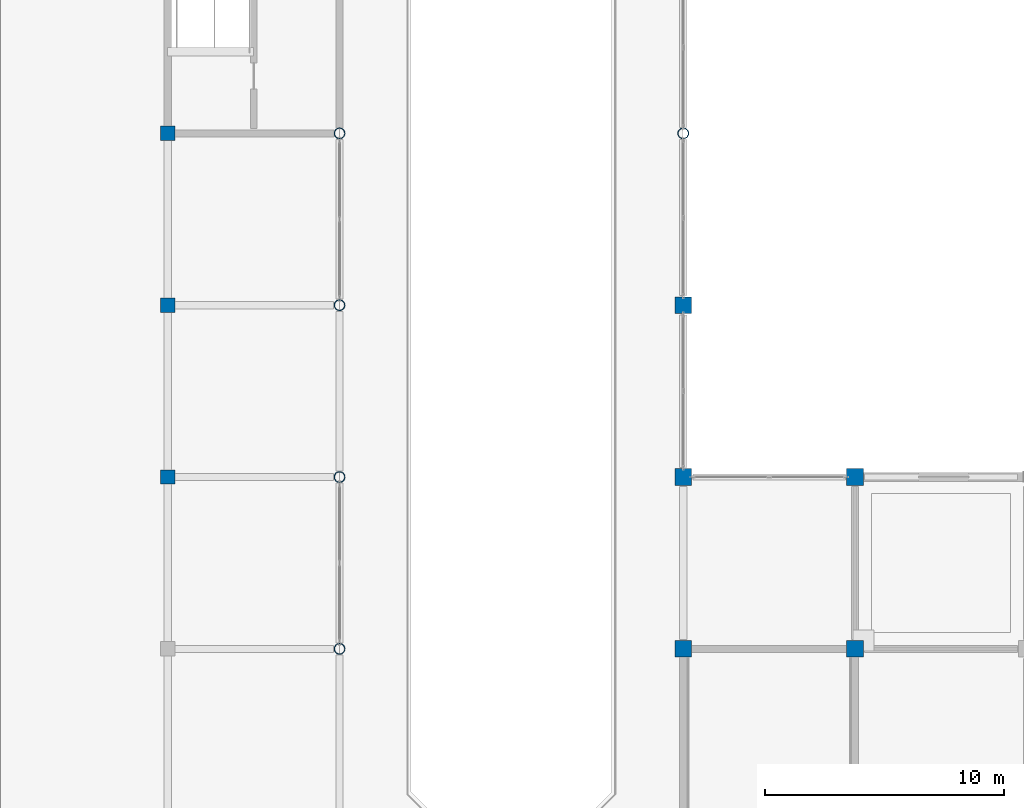
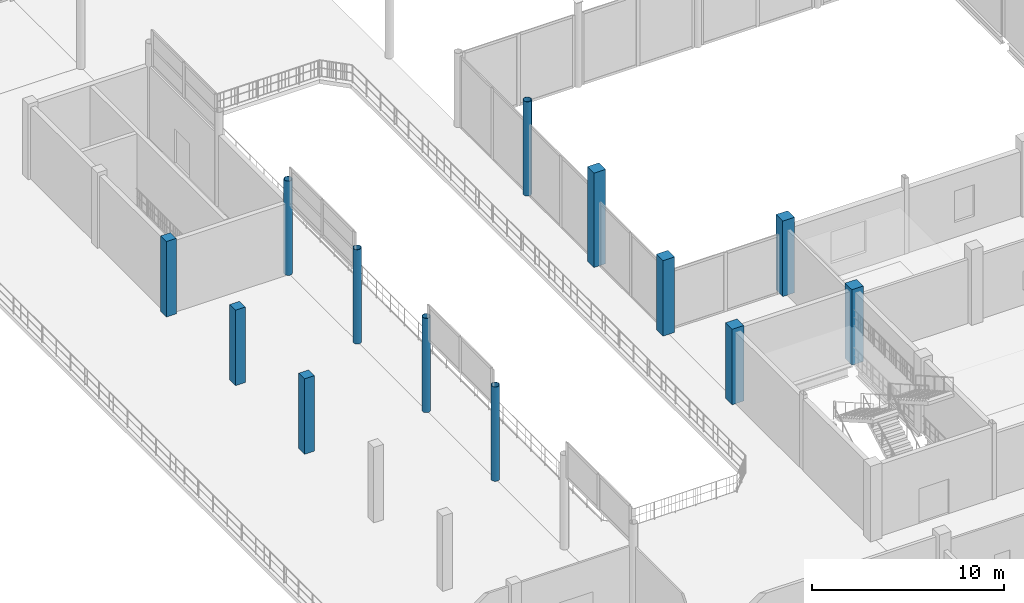
# One storey, part 5 of 120: 13 columns.
"""IFC4 building model written with IfcOpenShell, lengths in metres."""

import ifcopenshell
import ifcopenshell.guid

model = None  # the IFC model being written
_history = None  # IfcOwnerHistory: only IFC2X3 demands one
_inside = {}  # id of a spatial element -> (the spatial element, [elements in it])
_under = {}  # id of a project, library or spatial element -> (it, [spatial elements below it])
_declared = {}  # id of a project -> (the project, [libraries it declares])
_typed = {}  # id of a type object -> (the type object, [elements of that type])
_made_of = {}  # id of a material, layer set ... -> (it, [elements and type objects made of it])


def new_model(schema):
    """Start an empty IFC model of exactly this schema.

    Asked for "IFC4X3", IfcOpenShell would pick the latest addendum, in which some entities
    have other attributes; the version numbers below select the first issue.
    IFC2X3 requires an IfcOwnerHistory on every rooted entity: one is made here for all.
    """
    global model, _history
    if schema == "IFC4X3":
        model = ifcopenshell.file(schema_version=(4, 3, 0, 0))
    else:
        model = ifcopenshell.file(schema=schema)
    _inside.clear()
    _under.clear()
    _declared.clear()
    _typed.clear()
    _made_of.clear()
    _history = None
    if model.schema == "IFC2X3":
        org = make("IfcOrganization", Name="unknown")
        user = make(
            "IfcPersonAndOrganization",
            ThePerson=make("IfcPerson", FamilyName="unknown"),
            TheOrganization=org,
        )
        app = make(
            "IfcApplication",
            ApplicationDeveloper=org,
            Version="unknown",
            ApplicationFullName="unknown",
            ApplicationIdentifier="unknown",
        )
        _history = make(
            "IfcOwnerHistory",
            OwningUser=user,
            OwningApplication=app,
            ChangeAction="ADDED",
            CreationDate=0,
        )
    return model


def make(cls, **values):
    """One entity of the class cls with the attributes given. An attribute that is None is left unset."""
    return model.create_entity(
        cls, **{name: value for name, value in values.items() if value is not None}
    )


def rooted(cls, **values):
    """An entity with a GlobalId (a new one), such as an element, a storey or a relation."""
    return make(cls, GlobalId=ifcopenshell.guid.new(), OwnerHistory=_history, **values)


def si_unit(unit_type, name, prefix=None):
    """IfcSIUnit, for example si_unit("LENGTHUNIT", "METRE", prefix="MILLI")."""
    return make("IfcSIUnit", UnitType=unit_type, Prefix=prefix, Name=name)


def assignment(units):
    """IfcUnitAssignment: the units of a project."""
    return None if units is None else make("IfcUnitAssignment", Units=units)


def point(xyz):
    """IfcCartesianPoint."""
    return None if xyz is None else make("IfcCartesianPoint", Coordinates=xyz)


def direction(xyz):
    """IfcDirection."""
    return None if xyz is None else make("IfcDirection", DirectionRatios=xyz)


def frame(location, z_axis=None, x_axis=None):
    """IfcAxis2Placement3D, a coordinate frame: its origin and axes. An axis left out is left unset."""
    return make(
        "IfcAxis2Placement3D",
        Location=point(location),
        Axis=direction(z_axis),
        RefDirection=direction(x_axis),
    )


def frame_2d(location, x_axis=None):
    """IfcAxis2Placement2D, a coordinate frame in the plane: its origin and x axis."""
    return make(
        "IfcAxis2Placement2D", Location=point(location), RefDirection=direction(x_axis)
    )


def origin():
    """The frame at (0, 0, 0) with its axes left unset."""
    return frame((0.0, 0.0, 0.0))


def origin_2d():
    """The frame at (0, 0) in the plane with its x axis left unset."""
    return frame_2d((0.0, 0.0))


def place(relative_to, where):
    """IfcLocalPlacement: puts the frame where relative to a parent placement (None: the world)."""
    return make(
        "IfcLocalPlacement", PlacementRelTo=relative_to, RelativePlacement=where
    )


def context(
    kind, dimensions, precision=None, world=None, true_north=None, identifier=None
):
    """IfcGeometricRepresentationContext, for example the 3D "Model" context."""
    return make(
        "IfcGeometricRepresentationContext",
        ContextIdentifier=identifier,
        ContextType=kind,
        CoordinateSpaceDimension=dimensions,
        Precision=precision,
        WorldCoordinateSystem=world,
        TrueNorth=true_north,
    )


def subcontext(parent, identifier, kind, view, scale=None):
    """IfcGeometricRepresentationSubContext, for example "Body" below "Model"."""
    return make(
        "IfcGeometricRepresentationSubContext",
        ContextIdentifier=identifier,
        ContextType=kind,
        ParentContext=parent,
        TargetScale=scale,
        TargetView=view,
    )


def project(units=None, contexts=None):
    """IfcProject with its units and contexts."""
    return rooted(
        "IfcProject",
        Name="project",
        RepresentationContexts=contexts,
        UnitsInContext=assignment(units),
    )


def spatial(cls, under=None, at=None, **own):
    """A site, building, storey or space (cls), placed at a placement, below another one or the project."""
    s = rooted(cls, ObjectPlacement=at, **own)
    if under is not None:
        _under.setdefault(under.id(), (under, []))[1].append(s)
    return s


def profile(cls, at=None, kind="AREA", **sizes):
    """A parametric profile (cls). Its sizes go by their IFC names, for example OverallWidth=200.0."""
    return make(cls, ProfileType=kind, Position=at, **sizes)


def rectangle(**sizes):
    """IfcRectangleProfileDef."""
    return profile("IfcRectangleProfileDef", **sizes)


def hollow_circle(**sizes):
    """IfcCircleHollowProfileDef."""
    return profile("IfcCircleHollowProfileDef", **sizes)


def extrude(swept, where, along, depth):
    """IfcExtrudedAreaSolid: the profile swept, set in the frame where, extruded along a direction by depth."""
    return make(
        "IfcExtrudedAreaSolid",
        SweptArea=swept,
        Position=where,
        ExtrudedDirection=direction(along),
        Depth=depth,
    )


def shape(context_of_items, identifier, shape_type, items):
    """IfcShapeRepresentation: the items that make up one representation, for example the "Body"."""
    return make(
        "IfcShapeRepresentation",
        ContextOfItems=context_of_items,
        RepresentationIdentifier=identifier,
        RepresentationType=shape_type,
        Items=items,
    )


def material(Name=None, Category=None):
    """IfcMaterial."""
    return make("IfcMaterial", Name=Name, Category=Category)


def material_profile(
    of_material, cross_section, Name=None, Category=None, Priority=None
):
    """IfcMaterialProfile: a cross section and its material."""
    return make(
        "IfcMaterialProfile",
        Name=Name,
        Material=of_material,
        Profile=cross_section,
        Priority=Priority,
        Category=Category,
    )


def profile_set(profiles, Name=None, composite=None):
    """IfcMaterialProfileSet."""
    return make(
        "IfcMaterialProfileSet",
        Name=Name,
        MaterialProfiles=profiles,
        CompositeProfile=composite,
    )


def made_of(thing, what):
    """Note that an element or type object is made of a material, layer set ...; save() writes the relation."""
    if what is not None:
        _made_of.setdefault(what.id(), (what, []))[1].append(thing)
    return thing


def type_object(cls, material=None, **own):
    """A type object (cls), such as IfcWallType, which elements share."""
    return made_of(rooted(cls, **own), material)


def element(
    cls,
    number,
    at=None,
    inside=None,
    cuts=None,
    type_object=None,
    material=None,
    context=None,
    identifier="Body",
    shape_type=None,
    held_by="IfcProductDefinitionShape",
    body=None,
    shapes=None,
    **own,
):
    """One element of the class cls, such as IfcWall. Its Tag is "e" and its number.

    at: its placement. inside: the storey or other place that contains it. cuts: it is an
    opening in that element (IfcRelVoidsElement). A single representation is given by context,
    identifier, shape_type and body (its items); several are given by shapes. held_by: the class
    of the entity that holds the representations. save() writes the other relations.
    """
    e = rooted(cls, Tag="e%d" % number, ObjectPlacement=at, **own)
    if body is not None:
        shapes = [shape(context, identifier, shape_type, body)]
    if shapes is not None:
        e.Representation = make(held_by, Representations=shapes)
    if inside is not None:
        _inside.setdefault(inside.id(), (inside, []))[1].append(e)
    if cuts is not None:
        rooted(
            "IfcRelVoidsElement", RelatingBuildingElement=cuts, RelatedOpeningElement=e
        )
    if type_object is not None:
        _typed.setdefault(type_object.id(), (type_object, []))[1].append(e)
    return made_of(e, material)


def aggregate(whole, parts):
    """IfcRelAggregates: a whole, such as a stair, and the parts it consists of."""
    return rooted("IfcRelAggregates", RelatingObject=whole, RelatedObjects=parts)


def save(model, path):
    """Write the relations noted so far, then the file.

    IfcRelAggregates (storeys below a building ...), IfcRelContainedInSpatialStructure (elements
    in a storey), IfcRelDefinesByType, IfcRelAssociatesMaterial and IfcRelDeclares: one each for
    every whole, place, type object, material and project.
    """
    for whole, parts in _under.values():
        aggregate(whole, parts)
    for where, things in _inside.values():
        rooted(
            "IfcRelContainedInSpatialStructure",
            RelatedElements=things,
            RelatingStructure=where,
        )
    for kind, things in _typed.values():
        rooted("IfcRelDefinesByType", RelatedObjects=things, RelatingType=kind)
    for what, things in _made_of.values():
        rooted("IfcRelAssociatesMaterial", RelatedObjects=things, RelatingMaterial=what)
    for by, libraries in _declared.values():
        rooted("IfcRelDeclares", RelatingContext=by, RelatedDefinitions=libraries)
    model.write(path)


model = new_model("IFC4")

# Units and contexts
model_context = context("Model", 3, precision=1e-05, world=origin(), true_north=direction((0.0, 1.0)))
body_context = subcontext(model_context, "Body", "Model", "MODEL_VIEW")
ifc_project = project(units=[si_unit("LENGTHUNIT", "METRE"), si_unit("AREAUNIT", "SQUARE_METRE"), si_unit("VOLUMEUNIT", "CUBIC_METRE"), si_unit("PLANEANGLEUNIT", "RADIAN"), si_unit("MASSUNIT", "GRAM", prefix="KILO")], contexts=[model_context])

# Site, building, storey
site_placement = place(None, origin())
site = spatial("IfcSite", under=ifc_project, at=site_placement, CompositionType="ELEMENT")
building_placement = place(site_placement, origin())
building = spatial("IfcBuilding", under=site, at=building_placement, Name="Vesperath Aquatics Centre", CompositionType="ELEMENT")
storey_placement = place(building_placement, frame((0.0, 0.0, 10.199951171875)))
storey = spatial("IfcBuildingStorey", under=building, at=storey_placement, Name="L02", CompositionType="ELEMENT", Elevation=10.199951171875)

# Columns
ifc_material_1 = material(Name="Concrete C40", Category="concrete")
ifc_material_profile_1 = material_profile(ifc_material_1, rectangle(XDim=0.699951171875, YDim=0.699951171875, at=origin_2d()), Name="RC 700x700")
ifc_profile_set_1 = profile_set([ifc_material_profile_1], Name="Concrete C40")
column_type_1 = type_object("IfcColumnType", Name="CL-C05", PredefinedType="COLUMN", material=ifc_profile_set_1)
for number, where, z_axis, x_axis, name in (
    (1, (115.199951171875, 36.0, 0.0), (0.0, 0.0, 1.0), (1.0, 0.0, 0.0), "Column C05 L02 17/F"),
    (2, (115.199951171875, 43.199951171875, 0.0), (0.0, 0.0, 1.0), (1.0, 0.0, 0.0), "Column C05 L02 17/G"),
):
    element("IfcColumn", number, at=place(storey_placement, frame(where, z_axis=z_axis, x_axis=x_axis)), inside=storey, type_object=column_type_1, Name=name, PredefinedType="COLUMN", context=body_context, shape_type="SweptSolid", body=[
        extrude(rectangle(XDim=0.699951171875, YDim=0.699951171875, at=origin_2d()), origin(), (0.0, 0.0, 1.0), 4.800048828125),
    ])
column_placement = place(storey_placement, frame((115.199951171875, 50.39990234375, 0.0), z_axis=(0.0, 0.0, 1.0), x_axis=(1.0, 0.0, 0.0)))
element("IfcColumn", 3, at=column_placement, inside=storey, type_object=column_type_1, Name="Column C05 L02 17/H", PredefinedType="COLUMN", context=body_context, shape_type="SweptSolid", body=[
    extrude(rectangle(XDim=0.699951171875, YDim=0.699951171875, at=origin_2d()), origin(), (0.0, 0.0, 1.0), 6.0),
])
for number, where, z_axis, x_axis, name in (
    (4, (122.39990234375, 36.0, 0.0), (0.0, 0.0, 1.0), (1.0, 0.0, 0.0), "Column C05 L02 18/F"),
    (5, (122.39990234375, 43.199951171875, 0.0), (0.0, 0.0, 1.0), (1.0, 0.0, 0.0), "Column C05 L02 18/G"),
):
    element("IfcColumn", number, at=place(storey_placement, frame(where, z_axis=z_axis, x_axis=x_axis)), inside=storey, type_object=column_type_1, Name=name, PredefinedType="COLUMN", context=body_context, shape_type="SweptSolid", body=[
        extrude(rectangle(XDim=0.699951171875, YDim=0.699951171875, at=origin_2d()), origin(), (0.0, 0.0, 1.0), 4.800048828125),
    ])
ifc_material_profile_2 = material_profile(ifc_material_1, rectangle(XDim=0.60009765625, YDim=0.60009765625, at=origin_2d()), Name="RC 600x600")
ifc_profile_set_2 = profile_set([ifc_material_profile_2], Name="Concrete C40")
column_type_2 = type_object("IfcColumnType", Name="CL-C06", PredefinedType="COLUMN", material=ifc_profile_set_2)
for number, where, z_axis, x_axis, name in (
    (6, (93.60009765625, 43.199951171875, 0.0), (0.0, 0.0, 1.0), (1.0, 0.0, 0.0), "Column C06 L02 14/G"),
    (7, (93.60009765625, 50.39990234375, 0.0), (0.0, 0.0, 1.0), (1.0, 0.0, 0.0), "Column C06 L02 14/H"),
    (8, (93.60009765625, 57.60009765625, 0.0), (0.0, 0.0, 1.0), (1.0, 0.0, 0.0), "Column C06 L02 14/J"),
):
    element("IfcColumn", number, at=place(storey_placement, frame(where, z_axis=z_axis, x_axis=x_axis)), inside=storey, type_object=column_type_2, Name=name, PredefinedType="COLUMN", context=body_context, shape_type="SweptSolid", body=[
        extrude(rectangle(XDim=0.60009765625, YDim=0.60009765625, at=origin_2d()), origin(), (0.0, 0.0, 1.0), 4.800048828125),
    ])
ifc_material_2 = material(Name="Steel Q355D", Category="steel")
ifc_material_profile_3 = material_profile(ifc_material_2, hollow_circle(Radius=0.228515625, WallThickness=0.02001953125, at=origin_2d()), Name="CHS 457.0x20")
ifc_profile_set_3 = profile_set([ifc_material_profile_3], Name="Steel Q355D")
column_type_3 = type_object("IfcColumnType", Name="CL-C13", PredefinedType="COLUMN", material=ifc_profile_set_3)
for number, where, z_axis, x_axis, name in (
    (9, (100.800048828125, 36.0, 0.0), (0.0, 0.0, 1.0), (1.0, 0.0, 0.0), "Column C13 L02 15/F"),
    (10, (100.800048828125, 43.199951171875, 0.0), (0.0, 0.0, 1.0), (1.0, 0.0, 0.0), "Column C13 L02 15/G"),
    (11, (100.800048828125, 50.39990234375, 0.0), (0.0, 0.0, 1.0), (1.0, 0.0, 0.0), "Column C13 L02 15/H"),
    (12, (100.800048828125, 57.60009765625, 0.0), (0.0, 0.0, 1.0), (1.0, 0.0, 0.0), "Column C13 L02 15/J"),
    (13, (115.199951171875, 57.60009765625, 0.0), (0.0, 0.0, 1.0), (1.0, 0.0, 0.0), "Column C13 L02 17/J"),
):
    element("IfcColumn", number, at=place(storey_placement, frame(where, z_axis=z_axis, x_axis=x_axis)), inside=storey, type_object=column_type_3, Name=name, PredefinedType="COLUMN", context=body_context, shape_type="SweptSolid", body=[
        extrude(hollow_circle(Radius=0.228515625, WallThickness=0.02001953125, at=origin_2d()), origin(), (0.0, 0.0, 1.0), 6.0),
    ])

save(model, "model.ifc")
